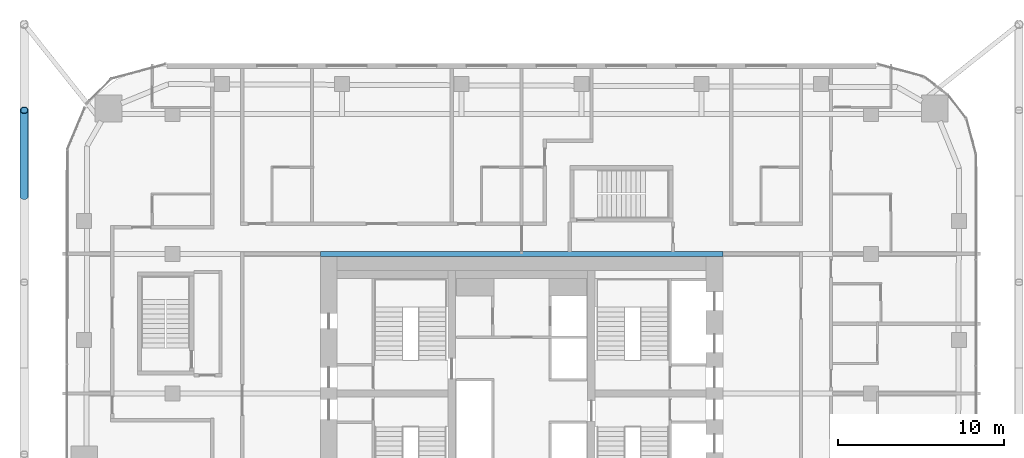
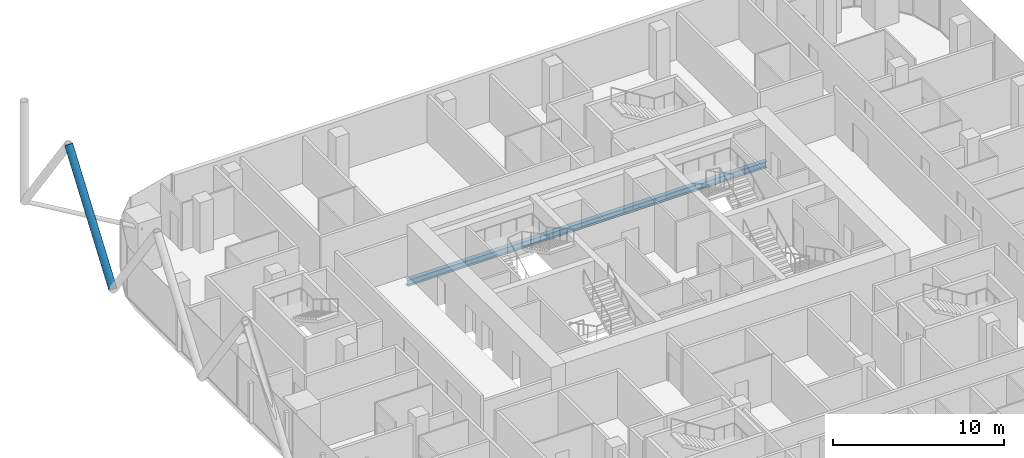
# One storey, part 10 of 33: 1 beam, 1 member.
"""IFC4 building model written with IfcOpenShell, lengths in metres."""

from ifc_helpers import new_model, si_unit, direction, frame, origin, origin_2d, place, context, subcontext, project, spatial, hollow_circle, i_section, extrude, material, material_profile, profile_set, type_object, element, save


model = new_model("IFC4")

# Units and contexts
model_context = context("Model", 3, precision=1e-05, world=origin(), true_north=direction((0.0, 1.0)))
body_context = subcontext(model_context, "Body", "Model", "MODEL_VIEW")
ifc_project = project(units=[si_unit("LENGTHUNIT", "METRE"), si_unit("AREAUNIT", "SQUARE_METRE"), si_unit("VOLUMEUNIT", "CUBIC_METRE"), si_unit("PLANEANGLEUNIT", "RADIAN"), si_unit("MASSUNIT", "GRAM", prefix="KILO")], contexts=[model_context])

# Site, building, storey
site_placement = place(None, origin())
site = spatial("IfcSite", under=ifc_project, at=site_placement, CompositionType="ELEMENT")
building_placement = place(site_placement, origin())
building = spatial("IfcBuilding", under=site, at=building_placement, Name="Marenta Gate Hotel Tower", CompositionType="ELEMENT")
storey_placement = place(building_placement, frame((0.0, 0.0, 137.300048828125)))
storey = spatial("IfcBuildingStorey", under=building, at=storey_placement, Name="L31", CompositionType="ELEMENT", Elevation=137.300048828125)

# Member
ifc_material_1 = material(Name="Steel S355J2W", Category="steel")
ifc_material_profile_1 = material_profile(ifc_material_1, hollow_circle(Radius=0.25390625, WallThickness=0.0400390625, at=origin_2d()), Name="CHS 508x40")
ifc_profile_set_1 = profile_set([ifc_material_profile_1], Name="Steel S355J2W")
member_type = type_object("IfcMemberType", Name="Diagrid diagonal Z2 CHS 508x40", PredefinedType="BRACE", material=ifc_profile_set_1)
member_placement = place(storey_placement, frame((-29.89990234375, 20.260009765625, 3.139892578125), z_axis=(0.0, 0.583260841117, 0.812284919975), x_axis=(-1.0, 0.0, 0.0)))
element("IfcMember", 1, at=member_placement, inside=storey, type_object=member_type, Name="L31-DG-33", PredefinedType="BRACE", context=body_context, shape_type="SweptSolid", body=[
    extrude(hollow_circle(Radius=0.25390625, WallThickness=0.0400390625, at=origin_2d()), origin(), (0.0, 0.0, 1.0), 8.86376953125),
])

# Beam
ifc_material_2 = material(Name="Steel S355", Category="steel")
ifc_material_profile_2 = material_profile(ifc_material_2, i_section(OverallWidth=0.300048828125, OverallDepth=0.449951171875, WebThickness=0.013916015625, FlangeThickness=0.02587890625, FilletRadius=0.027099609375, at=origin_2d()), Name="HEB 450")
ifc_profile_set_2 = profile_set([ifc_material_profile_2], Name="Steel S355")
beam_type = type_object("IfcBeamType", Name="Girder HEB 450", PredefinedType="BEAM", material=ifc_profile_set_2)
beam_placement = place(storey_placement, frame((-12.10009765625, 16.800048828125, -0.485107421875), z_axis=(1.0, 0.0, 0.0), x_axis=(0.0, 1.0, 0.0)))
element("IfcBeam", 2, at=beam_placement, inside=storey, type_object=beam_type, Name="L31-GD-26", PredefinedType="BEAM", context=body_context, shape_type="SweptSolid", body=[
    extrude(i_section(OverallWidth=0.300048828125, OverallDepth=0.449951171875, WebThickness=0.013916015625, FlangeThickness=0.02587890625, FilletRadius=0.027099609375, at=origin_2d()), origin(), (0.0, 0.0, 1.0), 24.2001953125),
])

save(model, "model.ifc")
